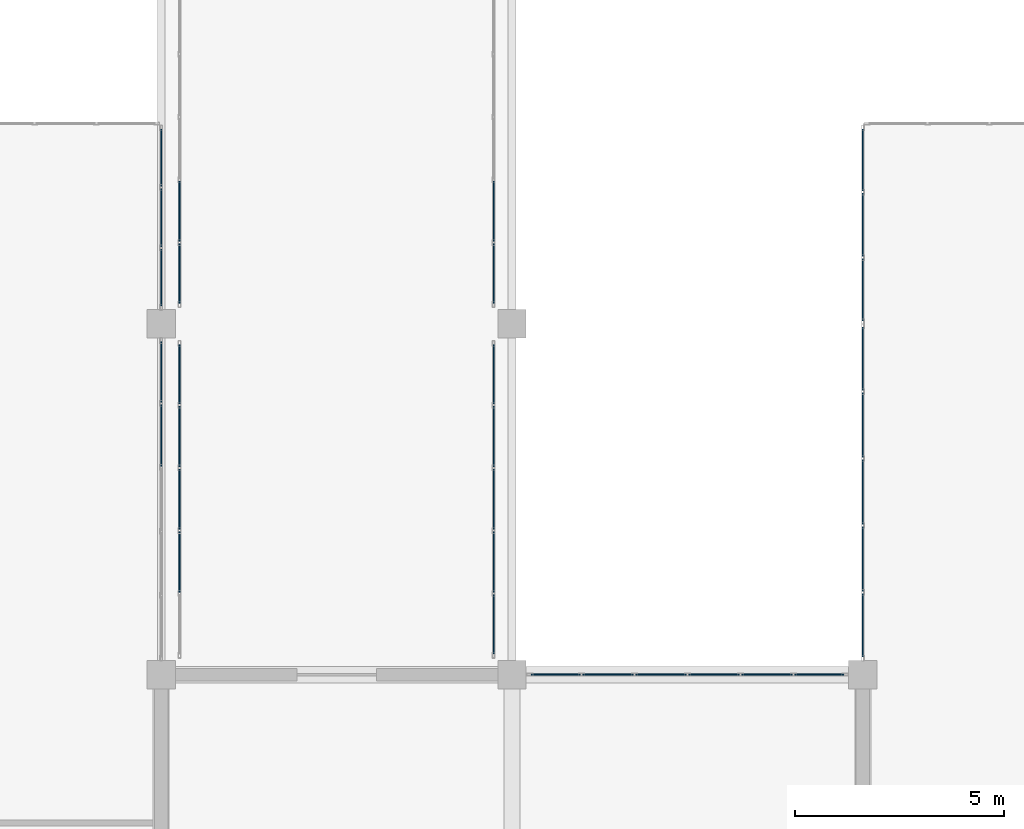
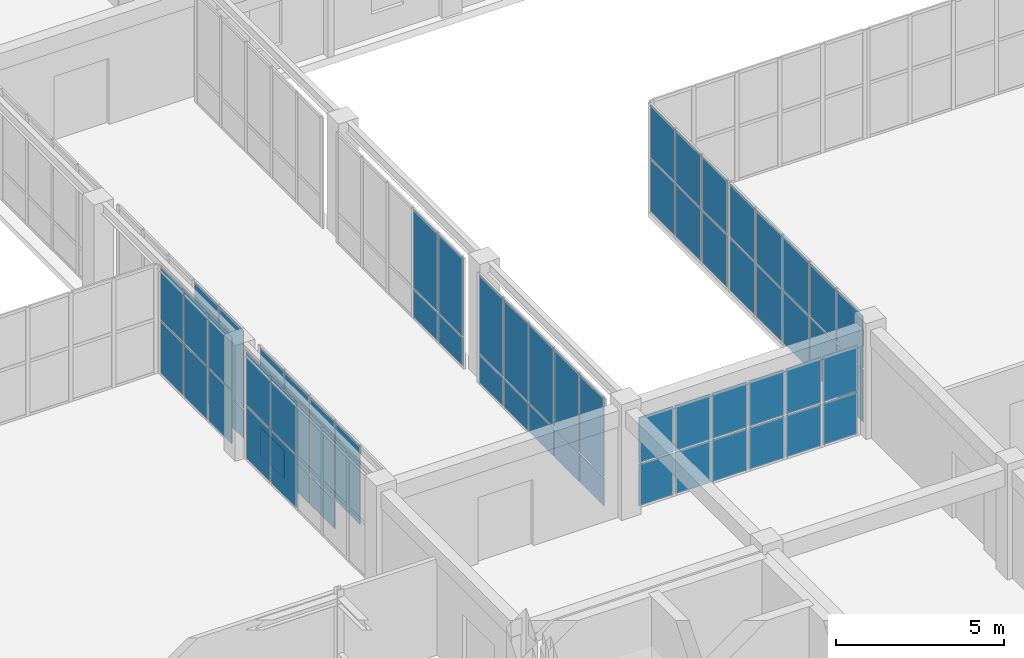
# One storey, part 102 of 140: 63 plates, 9 elements without a shape of their own.
"""IFC4 building model written with IfcOpenShell, lengths in metres."""

from ifc_helpers import new_model, si_unit, direction, frame, origin, origin_2d, place, context, subcontext, project, spatial, rectangle, extrude, material, layer, layer_set, type_object, element, aggregate, save


model = new_model("IFC4")

# Units and contexts
model_context = context("Model", 3, precision=1e-05, world=origin(), true_north=direction((0.0, 1.0)))
body_context = subcontext(model_context, "Body", "Model", "MODEL_VIEW")
ifc_project = project(units=[si_unit("LENGTHUNIT", "METRE"), si_unit("AREAUNIT", "SQUARE_METRE"), si_unit("VOLUMEUNIT", "CUBIC_METRE"), si_unit("PLANEANGLEUNIT", "RADIAN"), si_unit("MASSUNIT", "GRAM", prefix="KILO")], contexts=[model_context])

# Site, building, storey
site_placement = place(None, origin())
site = spatial("IfcSite", under=ifc_project, at=site_placement, CompositionType="ELEMENT")
building_placement = place(site_placement, origin())
building = spatial("IfcBuilding", under=site, at=building_placement, Name="Trelvath General Hospital", CompositionType="ELEMENT")
storey_placement = place(building_placement, frame((0.0, 0.0, 16.199951171875)))
storey = spatial("IfcBuildingStorey", under=building, at=storey_placement, Name="L04", CompositionType="ELEMENT", Elevation=16.199951171875)

# Curtain wall, plates
ifc_material_1 = material(Name="Anodised aluminium and low-E glass", Category="aluminium")
ifc_layer_1 = layer(ifc_material_1, 0.139892578125)
ifc_layer_set_1 = layer_set([ifc_layer_1], Name="Anodised aluminium and low-E glass")
curtain_wall_type_1 = type_object("IfcCurtainWallType", Name="CW CrystalCube 766 396 14", PredefinedType="USERDEFINED", material=ifc_layer_set_1)
curtain_wall_1_placement = place(storey_placement, origin())
curtain_wall_1 = element("IfcCurtainWall", 1, at=curtain_wall_1_placement, inside=storey, type_object=curtain_wall_type_1, Name="Crystal Cube Curtain Wall CUBE-W-T1 E4 L04", ObjectType="Unitised Glazed Curtain Wall", PredefinedType="USERDEFINED")
ifc_material_2 = material(Name="Low-E laminated glass", Category="glass")
ifc_layer_2 = layer(ifc_material_2, 0.028076171875)
ifc_layer_set_2 = layer_set([ifc_layer_2], Name="Low-E laminated glass")
plate_type_1 = type_object("IfcPlateType", Name="CurtainPanel Glass28", PredefinedType="CURTAIN_PANEL", material=ifc_layer_set_2)
plate_1_placement = place(storey_placement, frame((75.60009765625, 74.448974609375, 0.06005859375), z_axis=(0.0, 0.0, 1.0), x_axis=(0.0, -1.0, 0.0)))
plate_1 = element("IfcPlate", 2, at=plate_1_placement, type_object=plate_type_1, Name="CW-279 panel 1.1", PredefinedType="CURTAIN_PANEL", context=body_context, shape_type="SweptSolid", body=[
    extrude(rectangle(XDim=1.44189453125, YDim=0.028076171875, at=origin_2d()), origin(), (0.0, 0.0, 1.0), 1.889892578125),
])
plate_2_placement = place(storey_placement, frame((75.60009765625, 74.448974609375, 2.01025390625), z_axis=(0.0, 0.0, 1.0), x_axis=(0.0, -1.0, 0.0)))
plate_2 = element("IfcPlate", 3, at=plate_2_placement, type_object=plate_type_1, Name="CW-279 panel 1.2", PredefinedType="CURTAIN_PANEL", context=body_context, shape_type="SweptSolid", body=[
    extrude(rectangle(XDim=1.44189453125, YDim=0.028076171875, at=origin_2d()), origin(), (0.0, 0.0, 1.0), 1.889892578125),
])
plate_3_placement = place(storey_placement, frame((75.60009765625, 72.931884765625, 0.06005859375), z_axis=(0.0, 0.0, 1.0), x_axis=(0.0, -1.0, 0.0)))
plate_3 = element("IfcPlate", 4, at=plate_3_placement, type_object=plate_type_1, Name="CW-279 panel 2.1", PredefinedType="CURTAIN_PANEL", context=body_context, shape_type="SweptSolid", body=[
    extrude(rectangle(XDim=1.471923828125, YDim=0.028076171875, at=origin_2d()), origin(), (0.0, 0.0, 1.0), 1.889892578125),
])
plate_4_placement = place(storey_placement, frame((75.60009765625, 72.931884765625, 2.01025390625), z_axis=(0.0, 0.0, 1.0), x_axis=(0.0, -1.0, 0.0)))
plate_4 = element("IfcPlate", 5, at=plate_4_placement, type_object=plate_type_1, Name="CW-279 panel 2.2", PredefinedType="CURTAIN_PANEL", context=body_context, shape_type="SweptSolid", body=[
    extrude(rectangle(XDim=1.471923828125, YDim=0.028076171875, at=origin_2d()), origin(), (0.0, 0.0, 1.0), 1.889892578125),
])
aggregate(curtain_wall_1, [plate_1, plate_2, plate_3, plate_4])

ifc_material_3 = material(Name="Anodised aluminium and low-E glass", Category="aluminium")
ifc_layer_3 = layer(ifc_material_3, 0.139892578125)
ifc_layer_set_3 = layer_set([ifc_layer_3], Name="Anodised aluminium and low-E glass")
curtain_wall_type_2 = type_object("IfcCurtainWallType", Name="CW CrystalCube 435 396 14", PredefinedType="USERDEFINED", material=ifc_layer_set_3)
curtain_wall_2_placement = place(storey_placement, origin())
curtain_wall_2 = element("IfcCurtainWall", 6, at=curtain_wall_2_placement, inside=storey, type_object=curtain_wall_type_2, Name="Crystal Cube Curtain Wall CUBE-W-T1 E5 L04", ObjectType="Unitised Glazed Curtain Wall", PredefinedType="USERDEFINED")
plate_5_placement = place(storey_placement, frame((75.60009765625, 79.580078125, 0.06005859375), z_axis=(0.0, 0.0, 1.0), x_axis=(0.0, -1.0, 0.0)))
plate_5 = element("IfcPlate", 7, at=plate_5_placement, type_object=plate_type_1, Name="CW-281 panel 1.1", PredefinedType="CURTAIN_PANEL", context=body_context, shape_type="SweptSolid", body=[
    extrude(rectangle(XDim=1.360107421875, YDim=0.028076171875, at=origin_2d()), origin(), (0.0, 0.0, 1.0), 1.889892578125),
])
plate_6_placement = place(storey_placement, frame((75.60009765625, 79.580078125, 2.01025390625), z_axis=(0.0, 0.0, 1.0), x_axis=(0.0, -1.0, 0.0)))
plate_6 = element("IfcPlate", 8, at=plate_6_placement, type_object=plate_type_1, Name="CW-281 panel 1.2", PredefinedType="CURTAIN_PANEL", context=body_context, shape_type="SweptSolid", body=[
    extrude(rectangle(XDim=1.360107421875, YDim=0.028076171875, at=origin_2d()), origin(), (0.0, 0.0, 1.0), 1.889892578125),
])
plate_7_placement = place(storey_placement, frame((75.60009765625, 78.14501953125, 0.06005859375), z_axis=(0.0, 0.0, 1.0), x_axis=(0.0, -1.0, 0.0)))
plate_7 = element("IfcPlate", 9, at=plate_7_placement, type_object=plate_type_1, Name="CW-281 panel 2.1", PredefinedType="CURTAIN_PANEL", context=body_context, shape_type="SweptSolid", body=[
    extrude(rectangle(XDim=1.389892578125, YDim=0.028076171875, at=origin_2d()), origin(), (0.0, 0.0, 1.0), 1.889892578125),
])
plate_8_placement = place(storey_placement, frame((75.60009765625, 78.14501953125, 2.01025390625), z_axis=(0.0, 0.0, 1.0), x_axis=(0.0, -1.0, 0.0)))
plate_8 = element("IfcPlate", 10, at=plate_8_placement, type_object=plate_type_1, Name="CW-281 panel 2.2", PredefinedType="CURTAIN_PANEL", context=body_context, shape_type="SweptSolid", body=[
    extrude(rectangle(XDim=1.389892578125, YDim=0.028076171875, at=origin_2d()), origin(), (0.0, 0.0, 1.0), 1.889892578125),
])
plate_9_placement = place(storey_placement, frame((75.60009765625, 76.7099609375, 0.06005859375), z_axis=(0.0, 0.0, 1.0), x_axis=(0.0, -1.0, 0.0)))
plate_9 = element("IfcPlate", 11, at=plate_9_placement, type_object=plate_type_1, Name="CW-281 panel 3.1", PredefinedType="CURTAIN_PANEL", context=body_context, shape_type="SweptSolid", body=[
    extrude(rectangle(XDim=1.360107421875, YDim=0.028076171875, at=origin_2d()), origin(), (0.0, 0.0, 1.0), 1.889892578125),
])
plate_10_placement = place(storey_placement, frame((75.60009765625, 76.7099609375, 2.01025390625), z_axis=(0.0, 0.0, 1.0), x_axis=(0.0, -1.0, 0.0)))
plate_10 = element("IfcPlate", 12, at=plate_10_placement, type_object=plate_type_1, Name="CW-281 panel 3.2", PredefinedType="CURTAIN_PANEL", context=body_context, shape_type="SweptSolid", body=[
    extrude(rectangle(XDim=1.360107421875, YDim=0.028076171875, at=origin_2d()), origin(), (0.0, 0.0, 1.0), 1.889892578125),
])
aggregate(curtain_wall_2, [plate_5, plate_6, plate_7, plate_8, plate_9, plate_10])

ifc_material_4 = material(Name="Anodised aluminium and low-E glass", Category="aluminium")
ifc_layer_4 = layer(ifc_material_4, 0.139892578125)
ifc_layer_set_4 = layer_set([ifc_layer_4], Name="Anodised aluminium and low-E glass")
curtain_wall_type_3 = type_object("IfcCurtainWallType", Name="CW CrystalCube 801 396 14", PredefinedType="USERDEFINED", material=ifc_layer_set_4)
curtain_wall_3_placement = place(storey_placement, origin())
curtain_wall_3 = element("IfcCurtainWall", 13, at=curtain_wall_3_placement, inside=storey, type_object=curtain_wall_type_3, Name="Crystal Cube Curtain Wall CUBE-E-T1 W4 L04", ObjectType="Unitised Glazed Curtain Wall", PredefinedType="USERDEFINED")
plate_11_placement = place(storey_placement, frame((92.39990234375, 68.385986328125, 0.06005859375), z_axis=(0.0, 0.0, 1.0), x_axis=(0.0, 1.0, 0.0)))
plate_11 = element("IfcPlate", 14, at=plate_11_placement, type_object=plate_type_1, Name="CW-293 panel 1.1", PredefinedType="CURTAIN_PANEL", context=body_context, shape_type="SweptSolid", body=[
    extrude(rectangle(XDim=1.511962890625, YDim=0.028076171875, at=origin_2d()), origin(), (0.0, 0.0, 1.0), 1.889892578125),
])
plate_12_placement = place(storey_placement, frame((92.39990234375, 68.385986328125, 2.01025390625), z_axis=(0.0, 0.0, 1.0), x_axis=(0.0, 1.0, 0.0)))
plate_12 = element("IfcPlate", 15, at=plate_12_placement, type_object=plate_type_1, Name="CW-293 panel 1.2", PredefinedType="CURTAIN_PANEL", context=body_context, shape_type="SweptSolid", body=[
    extrude(rectangle(XDim=1.511962890625, YDim=0.028076171875, at=origin_2d()), origin(), (0.0, 0.0, 1.0), 1.889892578125),
])
plate_13_placement = place(storey_placement, frame((92.39990234375, 69.972900390625, 0.06005859375), z_axis=(0.0, 0.0, 1.0), x_axis=(0.0, 1.0, 0.0)))
plate_13 = element("IfcPlate", 16, at=plate_13_placement, type_object=plate_type_1, Name="CW-293 panel 2.1", PredefinedType="CURTAIN_PANEL", context=body_context, shape_type="SweptSolid", body=[
    extrude(rectangle(XDim=1.5419921875, YDim=0.028076171875, at=origin_2d()), origin(), (0.0, 0.0, 1.0), 1.889892578125),
])
plate_14_placement = place(storey_placement, frame((92.39990234375, 69.972900390625, 2.01025390625), z_axis=(0.0, 0.0, 1.0), x_axis=(0.0, 1.0, 0.0)))
plate_14 = element("IfcPlate", 17, at=plate_14_placement, type_object=plate_type_1, Name="CW-293 panel 2.2", PredefinedType="CURTAIN_PANEL", context=body_context, shape_type="SweptSolid", body=[
    extrude(rectangle(XDim=1.5419921875, YDim=0.028076171875, at=origin_2d()), origin(), (0.0, 0.0, 1.0), 1.889892578125),
])
plate_15_placement = place(storey_placement, frame((92.39990234375, 71.574951171875, 0.06005859375), z_axis=(0.0, 0.0, 1.0), x_axis=(0.0, 1.0, 0.0)))
plate_15 = element("IfcPlate", 18, at=plate_15_placement, type_object=plate_type_1, Name="CW-293 panel 3.1", PredefinedType="CURTAIN_PANEL", context=body_context, shape_type="SweptSolid", body=[
    extrude(rectangle(XDim=1.5419921875, YDim=0.028076171875, at=origin_2d()), origin(), (0.0, 0.0, 1.0), 1.889892578125),
])
plate_16_placement = place(storey_placement, frame((92.39990234375, 71.574951171875, 2.01025390625), z_axis=(0.0, 0.0, 1.0), x_axis=(0.0, 1.0, 0.0)))
plate_16 = element("IfcPlate", 19, at=plate_16_placement, type_object=plate_type_1, Name="CW-293 panel 3.2", PredefinedType="CURTAIN_PANEL", context=body_context, shape_type="SweptSolid", body=[
    extrude(rectangle(XDim=1.5419921875, YDim=0.028076171875, at=origin_2d()), origin(), (0.0, 0.0, 1.0), 1.889892578125),
])
plate_17_placement = place(storey_placement, frame((92.39990234375, 73.177001953125, 0.06005859375), z_axis=(0.0, 0.0, 1.0), x_axis=(0.0, 1.0, 0.0)))
plate_17 = element("IfcPlate", 20, at=plate_17_placement, type_object=plate_type_1, Name="CW-293 panel 4.1", PredefinedType="CURTAIN_PANEL", context=body_context, shape_type="SweptSolid", body=[
    extrude(rectangle(XDim=1.5419921875, YDim=0.028076171875, at=origin_2d()), origin(), (0.0, 0.0, 1.0), 1.889892578125),
])
plate_18_placement = place(storey_placement, frame((92.39990234375, 73.177001953125, 2.01025390625), z_axis=(0.0, 0.0, 1.0), x_axis=(0.0, 1.0, 0.0)))
plate_18 = element("IfcPlate", 21, at=plate_18_placement, type_object=plate_type_1, Name="CW-293 panel 4.2", PredefinedType="CURTAIN_PANEL", context=body_context, shape_type="SweptSolid", body=[
    extrude(rectangle(XDim=1.5419921875, YDim=0.028076171875, at=origin_2d()), origin(), (0.0, 0.0, 1.0), 1.889892578125),
])
plate_19_placement = place(storey_placement, frame((92.39990234375, 74.763916015625, 0.06005859375), z_axis=(0.0, 0.0, 1.0), x_axis=(0.0, 1.0, 0.0)))
plate_19 = element("IfcPlate", 22, at=plate_19_placement, type_object=plate_type_1, Name="CW-293 panel 5.1", PredefinedType="CURTAIN_PANEL", context=body_context, shape_type="SweptSolid", body=[
    extrude(rectangle(XDim=1.511962890625, YDim=0.028076171875, at=origin_2d()), origin(), (0.0, 0.0, 1.0), 1.889892578125),
])
plate_20_placement = place(storey_placement, frame((92.39990234375, 74.763916015625, 2.01025390625), z_axis=(0.0, 0.0, 1.0), x_axis=(0.0, 1.0, 0.0)))
plate_20 = element("IfcPlate", 23, at=plate_20_placement, type_object=plate_type_1, Name="CW-293 panel 5.2", PredefinedType="CURTAIN_PANEL", context=body_context, shape_type="SweptSolid", body=[
    extrude(rectangle(XDim=1.511962890625, YDim=0.028076171875, at=origin_2d()), origin(), (0.0, 0.0, 1.0), 1.889892578125),
])
aggregate(curtain_wall_3, [plate_11, plate_12, plate_13, plate_14, plate_15, plate_16, plate_17, plate_18, plate_19, plate_20])

ifc_material_5 = material(Name="Anodised aluminium and low-E glass", Category="aluminium")
ifc_layer_5 = layer(ifc_material_5, 0.139892578125)
ifc_layer_set_5 = layer_set([ifc_layer_5], Name="Anodised aluminium and low-E glass")
curtain_wall_type_4 = type_object("IfcCurtainWallType", Name="CW CrystalCube 470 396 14", PredefinedType="USERDEFINED", material=ifc_layer_set_5)
curtain_wall_4_placement = place(storey_placement, origin())
curtain_wall_4 = element("IfcCurtainWall", 24, at=curtain_wall_4_placement, inside=storey, type_object=curtain_wall_type_4, Name="Crystal Cube Curtain Wall CUBE-E-T1 W5 L04", ObjectType="Unitised Glazed Curtain Wall", PredefinedType="USERDEFINED")
plate_21_placement = place(storey_placement, frame((92.39990234375, 76.418212890625, 0.06005859375), z_axis=(0.0, 0.0, 1.0), x_axis=(0.0, 1.0, 0.0)))
plate_21 = element("IfcPlate", 25, at=plate_21_placement, type_object=plate_type_1, Name="CW-295 panel 1.1", PredefinedType="CURTAIN_PANEL", context=body_context, shape_type="SweptSolid", body=[
    extrude(rectangle(XDim=1.4765625, YDim=0.028076171875, at=origin_2d()), origin(), (0.0, 0.0, 1.0), 1.889892578125),
])
plate_22_placement = place(storey_placement, frame((92.39990234375, 76.418212890625, 2.01025390625), z_axis=(0.0, 0.0, 1.0), x_axis=(0.0, 1.0, 0.0)))
plate_22 = element("IfcPlate", 26, at=plate_22_placement, type_object=plate_type_1, Name="CW-295 panel 1.2", PredefinedType="CURTAIN_PANEL", context=body_context, shape_type="SweptSolid", body=[
    extrude(rectangle(XDim=1.4765625, YDim=0.028076171875, at=origin_2d()), origin(), (0.0, 0.0, 1.0), 1.889892578125),
])
plate_23_placement = place(storey_placement, frame((92.39990234375, 77.969970703125, 0.06005859375), z_axis=(0.0, 0.0, 1.0), x_axis=(0.0, 1.0, 0.0)))
plate_23 = element("IfcPlate", 27, at=plate_23_placement, type_object=plate_type_1, Name="CW-295 panel 2.1", PredefinedType="CURTAIN_PANEL", context=body_context, shape_type="SweptSolid", body=[
    extrude(rectangle(XDim=1.506591796875, YDim=0.028076171875, at=origin_2d()), origin(), (0.0, 0.0, 1.0), 1.889892578125),
])
plate_24_placement = place(storey_placement, frame((92.39990234375, 77.969970703125, 2.01025390625), z_axis=(0.0, 0.0, 1.0), x_axis=(0.0, 1.0, 0.0)))
plate_24 = element("IfcPlate", 28, at=plate_24_placement, type_object=plate_type_1, Name="CW-295 panel 2.2", PredefinedType="CURTAIN_PANEL", context=body_context, shape_type="SweptSolid", body=[
    extrude(rectangle(XDim=1.506591796875, YDim=0.028076171875, at=origin_2d()), origin(), (0.0, 0.0, 1.0), 1.889892578125),
])
plate_25_placement = place(storey_placement, frame((92.39990234375, 79.521728515625, 0.06005859375), z_axis=(0.0, 0.0, 1.0), x_axis=(0.0, 1.0, 0.0)))
plate_25 = element("IfcPlate", 29, at=plate_25_placement, type_object=plate_type_1, Name="CW-295 panel 3.1", PredefinedType="CURTAIN_PANEL", context=body_context, shape_type="SweptSolid", body=[
    extrude(rectangle(XDim=1.4765625, YDim=0.028076171875, at=origin_2d()), origin(), (0.0, 0.0, 1.0), 1.889892578125),
])
plate_26_placement = place(storey_placement, frame((92.39990234375, 79.521728515625, 2.01025390625), z_axis=(0.0, 0.0, 1.0), x_axis=(0.0, 1.0, 0.0)))
plate_26 = element("IfcPlate", 30, at=plate_26_placement, type_object=plate_type_1, Name="CW-295 panel 3.2", PredefinedType="CURTAIN_PANEL", context=body_context, shape_type="SweptSolid", body=[
    extrude(rectangle(XDim=1.4765625, YDim=0.028076171875, at=origin_2d()), origin(), (0.0, 0.0, 1.0), 1.889892578125),
])
aggregate(curtain_wall_4, [plate_21, plate_22, plate_23, plate_24, plate_25, plate_26])

ifc_material_6 = material(Name="Anodised aluminium and low-E glass", Category="aluminium")
ifc_layer_6 = layer(ifc_material_6, 0.139892578125)
ifc_layer_set_6 = layer_set([ifc_layer_6], Name="Anodised aluminium and low-E glass")
curtain_wall_type_5 = type_object("IfcCurtainWallType", Name="CW Bridge 752 401", PredefinedType="USERDEFINED", material=ifc_layer_set_6)
curtain_wall_5_placement = place(storey_placement, origin())
curtain_wall_5 = element("IfcCurtainWall", 31, at=curtain_wall_5_placement, inside=storey, type_object=curtain_wall_type_5, Name="Glazed Bridge Curtain Wall BRG-N-C W L04", ObjectType="Unitised Glazed Curtain Wall", PredefinedType="USERDEFINED")
plate_27_placement = place(storey_placement, frame((76.0400390625, 69.89599609375, 1.1298828125), z_axis=(0.0, 0.0, 1.0), x_axis=(0.0, 1.0, 0.0)))
plate_27 = element("IfcPlate", 32, at=plate_27_placement, type_object=plate_type_1, Name="CW-296 panel 2.2", PredefinedType="CURTAIN_PANEL", context=body_context, shape_type="SweptSolid", body=[
    extrude(rectangle(XDim=1.444091796875, YDim=0.028076171875, at=origin_2d()), origin(), (0.0, 0.0, 1.0), 2.820068359375),
])
plate_28_placement = place(storey_placement, frame((76.0400390625, 71.39990234375, 0.06005859375), z_axis=(0.0, 0.0, 1.0), x_axis=(0.0, 1.0, 0.0)))
plate_28 = element("IfcPlate", 33, at=plate_28_placement, type_object=plate_type_1, Name="CW-296 panel 3.1", PredefinedType="CURTAIN_PANEL", context=body_context, shape_type="SweptSolid", body=[
    extrude(rectangle(XDim=1.444091796875, YDim=0.028076171875, at=origin_2d()), origin(), (0.0, 0.0, 1.0), 1.010009765625),
])
plate_29_placement = place(storey_placement, frame((76.0400390625, 71.39990234375, 1.1298828125), z_axis=(0.0, 0.0, 1.0), x_axis=(0.0, 1.0, 0.0)))
plate_29 = element("IfcPlate", 34, at=plate_29_placement, type_object=plate_type_1, Name="CW-296 panel 3.2", PredefinedType="CURTAIN_PANEL", context=body_context, shape_type="SweptSolid", body=[
    extrude(rectangle(XDim=1.444091796875, YDim=0.028076171875, at=origin_2d()), origin(), (0.0, 0.0, 1.0), 2.820068359375),
])
plate_30_placement = place(storey_placement, frame((76.0400390625, 72.904052734375, 0.06005859375), z_axis=(0.0, 0.0, 1.0), x_axis=(0.0, 1.0, 0.0)))
plate_30 = element("IfcPlate", 35, at=plate_30_placement, type_object=plate_type_1, Name="CW-296 panel 4.1", PredefinedType="CURTAIN_PANEL", context=body_context, shape_type="SweptSolid", body=[
    extrude(rectangle(XDim=1.444091796875, YDim=0.028076171875, at=origin_2d()), origin(), (0.0, 0.0, 1.0), 1.010009765625),
])
plate_31_placement = place(storey_placement, frame((76.0400390625, 72.904052734375, 1.1298828125), z_axis=(0.0, 0.0, 1.0), x_axis=(0.0, 1.0, 0.0)))
plate_31 = element("IfcPlate", 36, at=plate_31_placement, type_object=plate_type_1, Name="CW-296 panel 4.2", PredefinedType="CURTAIN_PANEL", context=body_context, shape_type="SweptSolid", body=[
    extrude(rectangle(XDim=1.444091796875, YDim=0.028076171875, at=origin_2d()), origin(), (0.0, 0.0, 1.0), 2.820068359375),
])
plate_32_placement = place(storey_placement, frame((76.0400390625, 74.39306640625, 0.06005859375), z_axis=(0.0, 0.0, 1.0), x_axis=(0.0, 1.0, 0.0)))
plate_32 = element("IfcPlate", 37, at=plate_32_placement, type_object=plate_type_1, Name="CW-296 panel 5.1", PredefinedType="CURTAIN_PANEL", context=body_context, shape_type="SweptSolid", body=[
    extrude(rectangle(XDim=1.4140625, YDim=0.028076171875, at=origin_2d()), origin(), (0.0, 0.0, 1.0), 1.010009765625),
])
plate_33_placement = place(storey_placement, frame((76.0400390625, 74.39306640625, 1.1298828125), z_axis=(0.0, 0.0, 1.0), x_axis=(0.0, 1.0, 0.0)))
plate_33 = element("IfcPlate", 38, at=plate_33_placement, type_object=plate_type_1, Name="CW-296 panel 5.2", PredefinedType="CURTAIN_PANEL", context=body_context, shape_type="SweptSolid", body=[
    extrude(rectangle(XDim=1.4140625, YDim=0.028076171875, at=origin_2d()), origin(), (0.0, 0.0, 1.0), 2.820068359375),
])
aggregate(curtain_wall_5, [plate_27, plate_28, plate_29, plate_30, plate_31, plate_32, plate_33])

curtain_wall_6_placement = place(storey_placement, origin())
curtain_wall_6 = element("IfcCurtainWall", 39, at=curtain_wall_6_placement, inside=storey, type_object=curtain_wall_type_5, Name="Glazed Bridge Curtain Wall BRG-N-C E L04", ObjectType="Unitised Glazed Curtain Wall", PredefinedType="USERDEFINED")
plate_34_placement = place(storey_placement, frame((83.56005859375, 74.39306640625, 0.06005859375), z_axis=(0.0, 0.0, 1.0), x_axis=(0.0, -1.0, 0.0)))
plate_34 = element("IfcPlate", 40, at=plate_34_placement, type_object=plate_type_1, Name="CW-297 panel 1.1", PredefinedType="CURTAIN_PANEL", context=body_context, shape_type="SweptSolid", body=[
    extrude(rectangle(XDim=1.4140625, YDim=0.028076171875, at=origin_2d()), origin(), (0.0, 0.0, 1.0), 1.010009765625),
])
plate_35_placement = place(storey_placement, frame((83.56005859375, 74.39306640625, 1.1298828125), z_axis=(0.0, 0.0, 1.0), x_axis=(0.0, -1.0, 0.0)))
plate_35 = element("IfcPlate", 41, at=plate_35_placement, type_object=plate_type_1, Name="CW-297 panel 1.2", PredefinedType="CURTAIN_PANEL", context=body_context, shape_type="SweptSolid", body=[
    extrude(rectangle(XDim=1.4140625, YDim=0.028076171875, at=origin_2d()), origin(), (0.0, 0.0, 1.0), 2.820068359375),
])
plate_36_placement = place(storey_placement, frame((83.56005859375, 72.904052734375, 0.06005859375), z_axis=(0.0, 0.0, 1.0), x_axis=(0.0, -1.0, 0.0)))
plate_36 = element("IfcPlate", 42, at=plate_36_placement, type_object=plate_type_1, Name="CW-297 panel 2.1", PredefinedType="CURTAIN_PANEL", context=body_context, shape_type="SweptSolid", body=[
    extrude(rectangle(XDim=1.444091796875, YDim=0.028076171875, at=origin_2d()), origin(), (0.0, 0.0, 1.0), 1.010009765625),
])
plate_37_placement = place(storey_placement, frame((83.56005859375, 72.904052734375, 1.1298828125), z_axis=(0.0, 0.0, 1.0), x_axis=(0.0, -1.0, 0.0)))
plate_37 = element("IfcPlate", 43, at=plate_37_placement, type_object=plate_type_1, Name="CW-297 panel 2.2", PredefinedType="CURTAIN_PANEL", context=body_context, shape_type="SweptSolid", body=[
    extrude(rectangle(XDim=1.444091796875, YDim=0.028076171875, at=origin_2d()), origin(), (0.0, 0.0, 1.0), 2.820068359375),
])
plate_38_placement = place(storey_placement, frame((83.56005859375, 71.39990234375, 0.06005859375), z_axis=(0.0, 0.0, 1.0), x_axis=(0.0, -1.0, 0.0)))
plate_38 = element("IfcPlate", 44, at=plate_38_placement, type_object=plate_type_1, Name="CW-297 panel 3.1", PredefinedType="CURTAIN_PANEL", context=body_context, shape_type="SweptSolid", body=[
    extrude(rectangle(XDim=1.444091796875, YDim=0.028076171875, at=origin_2d()), origin(), (0.0, 0.0, 1.0), 1.010009765625),
])
plate_39_placement = place(storey_placement, frame((83.56005859375, 71.39990234375, 1.1298828125), z_axis=(0.0, 0.0, 1.0), x_axis=(0.0, -1.0, 0.0)))
plate_39 = element("IfcPlate", 45, at=plate_39_placement, type_object=plate_type_1, Name="CW-297 panel 3.2", PredefinedType="CURTAIN_PANEL", context=body_context, shape_type="SweptSolid", body=[
    extrude(rectangle(XDim=1.444091796875, YDim=0.028076171875, at=origin_2d()), origin(), (0.0, 0.0, 1.0), 2.820068359375),
])
plate_40_placement = place(storey_placement, frame((83.56005859375, 69.89599609375, 0.06005859375), z_axis=(0.0, 0.0, 1.0), x_axis=(0.0, -1.0, 0.0)))
plate_40 = element("IfcPlate", 46, at=plate_40_placement, type_object=plate_type_1, Name="CW-297 panel 4.1", PredefinedType="CURTAIN_PANEL", context=body_context, shape_type="SweptSolid", body=[
    extrude(rectangle(XDim=1.444091796875, YDim=0.028076171875, at=origin_2d()), origin(), (0.0, 0.0, 1.0), 1.010009765625),
])
plate_41_placement = place(storey_placement, frame((83.56005859375, 69.89599609375, 1.1298828125), z_axis=(0.0, 0.0, 1.0), x_axis=(0.0, -1.0, 0.0)))
plate_41 = element("IfcPlate", 47, at=plate_41_placement, type_object=plate_type_1, Name="CW-297 panel 4.2", PredefinedType="CURTAIN_PANEL", context=body_context, shape_type="SweptSolid", body=[
    extrude(rectangle(XDim=1.444091796875, YDim=0.028076171875, at=origin_2d()), origin(), (0.0, 0.0, 1.0), 2.820068359375),
])
plate_42_placement = place(storey_placement, frame((83.56005859375, 68.406982421875, 0.06005859375), z_axis=(0.0, 0.0, 1.0), x_axis=(0.0, -1.0, 0.0)))
plate_42 = element("IfcPlate", 48, at=plate_42_placement, type_object=plate_type_1, Name="CW-297 panel 5.1", PredefinedType="CURTAIN_PANEL", context=body_context, shape_type="SweptSolid", body=[
    extrude(rectangle(XDim=1.4140625, YDim=0.028076171875, at=origin_2d()), origin(), (0.0, 0.0, 1.0), 1.010009765625),
])
plate_43_placement = place(storey_placement, frame((83.56005859375, 68.406982421875, 1.1298828125), z_axis=(0.0, 0.0, 1.0), x_axis=(0.0, -1.0, 0.0)))
plate_43 = element("IfcPlate", 49, at=plate_43_placement, type_object=plate_type_1, Name="CW-297 panel 5.2", PredefinedType="CURTAIN_PANEL", context=body_context, shape_type="SweptSolid", body=[
    extrude(rectangle(XDim=1.4140625, YDim=0.028076171875, at=origin_2d()), origin(), (0.0, 0.0, 1.0), 2.820068359375),
])
aggregate(curtain_wall_6, [plate_34, plate_35, plate_36, plate_37, plate_38, plate_39, plate_40, plate_41, plate_42, plate_43])

curtain_wall_7_placement = place(storey_placement, origin())
curtain_wall_7 = element("IfcCurtainWall", 50, at=curtain_wall_7_placement, inside=storey, type_object=curtain_wall_type_5, Name="Glazed Bridge Curtain Wall BRG-N-C W L04", ObjectType="Unitised Glazed Curtain Wall", PredefinedType="USERDEFINED")
plate_44_placement = place(storey_placement, frame((76.0400390625, 76.806884765625, 0.06005859375), z_axis=(0.0, 0.0, 1.0), x_axis=(0.0, 1.0, 0.0)))
plate_44 = element("IfcPlate", 51, at=plate_44_placement, type_object=plate_type_1, Name="CW-298 panel 1.1", PredefinedType="CURTAIN_PANEL", context=body_context, shape_type="SweptSolid", body=[
    extrude(rectangle(XDim=1.4140625, YDim=0.028076171875, at=origin_2d()), origin(), (0.0, 0.0, 1.0), 1.010009765625),
])
plate_45_placement = place(storey_placement, frame((76.0400390625, 76.806884765625, 1.1298828125), z_axis=(0.0, 0.0, 1.0), x_axis=(0.0, 1.0, 0.0)))
plate_45 = element("IfcPlate", 52, at=plate_45_placement, type_object=plate_type_1, Name="CW-298 panel 1.2", PredefinedType="CURTAIN_PANEL", context=body_context, shape_type="SweptSolid", body=[
    extrude(rectangle(XDim=1.4140625, YDim=0.028076171875, at=origin_2d()), origin(), (0.0, 0.0, 1.0), 2.820068359375),
])
plate_46_placement = place(storey_placement, frame((76.0400390625, 78.2958984375, 0.06005859375), z_axis=(0.0, 0.0, 1.0), x_axis=(0.0, 1.0, 0.0)))
plate_46 = element("IfcPlate", 53, at=plate_46_placement, type_object=plate_type_1, Name="CW-298 panel 2.1", PredefinedType="CURTAIN_PANEL", context=body_context, shape_type="SweptSolid", body=[
    extrude(rectangle(XDim=1.444091796875, YDim=0.028076171875, at=origin_2d()), origin(), (0.0, 0.0, 1.0), 1.010009765625),
])
plate_47_placement = place(storey_placement, frame((76.0400390625, 78.2958984375, 1.1298828125), z_axis=(0.0, 0.0, 1.0), x_axis=(0.0, 1.0, 0.0)))
plate_47 = element("IfcPlate", 54, at=plate_47_placement, type_object=plate_type_1, Name="CW-298 panel 2.2", PredefinedType="CURTAIN_PANEL", context=body_context, shape_type="SweptSolid", body=[
    extrude(rectangle(XDim=1.444091796875, YDim=0.028076171875, at=origin_2d()), origin(), (0.0, 0.0, 1.0), 2.820068359375),
])
aggregate(curtain_wall_7, [plate_44, plate_45, plate_46, plate_47])

curtain_wall_8_placement = place(storey_placement, origin())
curtain_wall_8 = element("IfcCurtainWall", 55, at=curtain_wall_8_placement, inside=storey, type_object=curtain_wall_type_5, Name="Glazed Bridge Curtain Wall BRG-N-C E L04", ObjectType="Unitised Glazed Curtain Wall", PredefinedType="USERDEFINED")
plate_48_placement = place(storey_placement, frame((83.56005859375, 78.2958984375, 0.06005859375), z_axis=(0.0, 0.0, 1.0), x_axis=(0.0, -1.0, 0.0)))
plate_48 = element("IfcPlate", 56, at=plate_48_placement, type_object=plate_type_1, Name="CW-299 panel 4.1", PredefinedType="CURTAIN_PANEL", context=body_context, shape_type="SweptSolid", body=[
    extrude(rectangle(XDim=1.444091796875, YDim=0.028076171875, at=origin_2d()), origin(), (0.0, 0.0, 1.0), 1.010009765625),
])
plate_49_placement = place(storey_placement, frame((83.56005859375, 78.2958984375, 1.1298828125), z_axis=(0.0, 0.0, 1.0), x_axis=(0.0, -1.0, 0.0)))
plate_49 = element("IfcPlate", 57, at=plate_49_placement, type_object=plate_type_1, Name="CW-299 panel 4.2", PredefinedType="CURTAIN_PANEL", context=body_context, shape_type="SweptSolid", body=[
    extrude(rectangle(XDim=1.444091796875, YDim=0.028076171875, at=origin_2d()), origin(), (0.0, 0.0, 1.0), 2.820068359375),
])
plate_50_placement = place(storey_placement, frame((83.56005859375, 76.806884765625, 0.06005859375), z_axis=(0.0, 0.0, 1.0), x_axis=(0.0, -1.0, 0.0)))
plate_50 = element("IfcPlate", 58, at=plate_50_placement, type_object=plate_type_1, Name="CW-299 panel 5.1", PredefinedType="CURTAIN_PANEL", context=body_context, shape_type="SweptSolid", body=[
    extrude(rectangle(XDim=1.4140625, YDim=0.028076171875, at=origin_2d()), origin(), (0.0, 0.0, 1.0), 1.010009765625),
])
plate_51_placement = place(storey_placement, frame((83.56005859375, 76.806884765625, 1.1298828125), z_axis=(0.0, 0.0, 1.0), x_axis=(0.0, -1.0, 0.0)))
plate_51 = element("IfcPlate", 59, at=plate_51_placement, type_object=plate_type_1, Name="CW-299 panel 5.2", PredefinedType="CURTAIN_PANEL", context=body_context, shape_type="SweptSolid", body=[
    extrude(rectangle(XDim=1.4140625, YDim=0.028076171875, at=origin_2d()), origin(), (0.0, 0.0, 1.0), 2.820068359375),
])
aggregate(curtain_wall_8, [plate_48, plate_49, plate_50, plate_51])

ifc_material_7 = material(Name="Anodised aluminium and low-E glass", Category="aluminium")
ifc_layer_7 = layer(ifc_material_7, 0.14990234375)
ifc_layer_set_7 = layer_set([ifc_layer_7], Name="Anodised aluminium and low-E glass")
curtain_wall_type_6 = type_object("IfcCurtainWallType", Name="CW Facade 761 332 15", PredefinedType="USERDEFINED", material=ifc_layer_set_7)
curtain_wall_9_placement = place(storey_placement, origin())
curtain_wall_9 = element("IfcCurtainWall", 60, at=curtain_wall_9_placement, inside=storey, type_object=curtain_wall_type_6, Name="Facade Curtain Wall CW-065", ObjectType="Unitised Glazed Curtain Wall", PredefinedType="USERDEFINED")
ifc_material_8 = material(Name="Low-E laminated glass", Category="glass")
ifc_layer_8 = layer(ifc_material_8, 0.035888671875)
ifc_layer_set_8 = layer_set([ifc_layer_8], Name="Low-E laminated glass")
plate_type_2 = type_object("IfcPlateType", Name="CurtainPanel Glass36", PredefinedType="CURTAIN_PANEL", material=ifc_layer_set_8)
plate_52_placement = place(storey_placement, frame((85.044189453125, 67.199951171875, 0.06005859375), z_axis=(0.0, 0.0, 1.0), x_axis=(1.0, 0.0, 0.0)))
plate_52 = element("IfcPlate", 61, at=plate_52_placement, type_object=plate_type_2, Name="CW-065 panel 1.1", PredefinedType="CURTAIN_PANEL", context=body_context, shape_type="SweptSolid", body=[
    extrude(rectangle(XDim=1.17822265625, YDim=0.035888671875, at=origin_2d()), origin(), (0.0, 0.0, 1.0), 1.50390625),
])
plate_53_placement = place(storey_placement, frame((85.044189453125, 67.199951171875, 1.6240234375), z_axis=(0.0, 0.0, 1.0), x_axis=(1.0, 0.0, 0.0)))
plate_53 = element("IfcPlate", 62, at=plate_53_placement, type_object=plate_type_2, Name="CW-065 panel 1.2", PredefinedType="CURTAIN_PANEL", context=body_context, shape_type="SweptSolid", body=[
    extrude(rectangle(XDim=1.17822265625, YDim=0.035888671875, at=origin_2d()), origin(), (0.0, 0.0, 1.0), 1.635986328125),
])
plate_54_placement = place(storey_placement, frame((86.297607421875, 67.199951171875, 0.06005859375), z_axis=(0.0, 0.0, 1.0), x_axis=(1.0, 0.0, 0.0)))
plate_54 = element("IfcPlate", 63, at=plate_54_placement, type_object=plate_type_2, Name="CW-065 panel 2.1", PredefinedType="CURTAIN_PANEL", context=body_context, shape_type="SweptSolid", body=[
    extrude(rectangle(XDim=1.208251953125, YDim=0.035888671875, at=origin_2d()), origin(), (0.0, 0.0, 1.0), 1.50390625),
])
plate_55_placement = place(storey_placement, frame((86.297607421875, 67.199951171875, 1.6240234375), z_axis=(0.0, 0.0, 1.0), x_axis=(1.0, 0.0, 0.0)))
plate_55 = element("IfcPlate", 64, at=plate_55_placement, type_object=plate_type_2, Name="CW-065 panel 2.2", PredefinedType="CURTAIN_PANEL", context=body_context, shape_type="SweptSolid", body=[
    extrude(rectangle(XDim=1.208251953125, YDim=0.035888671875, at=origin_2d()), origin(), (0.0, 0.0, 1.0), 1.635986328125),
])
plate_56_placement = place(storey_placement, frame((87.56591796875, 67.199951171875, 0.06005859375), z_axis=(0.0, 0.0, 1.0), x_axis=(1.0, 0.0, 0.0)))
plate_56 = element("IfcPlate", 65, at=plate_56_placement, type_object=plate_type_2, Name="CW-065 panel 3.1", PredefinedType="CURTAIN_PANEL", context=body_context, shape_type="SweptSolid", body=[
    extrude(rectangle(XDim=1.208251953125, YDim=0.035888671875, at=origin_2d()), origin(), (0.0, 0.0, 1.0), 1.50390625),
])
plate_57_placement = place(storey_placement, frame((87.56591796875, 67.199951171875, 1.6240234375), z_axis=(0.0, 0.0, 1.0), x_axis=(1.0, 0.0, 0.0)))
plate_57 = element("IfcPlate", 66, at=plate_57_placement, type_object=plate_type_2, Name="CW-065 panel 3.2", PredefinedType="CURTAIN_PANEL", context=body_context, shape_type="SweptSolid", body=[
    extrude(rectangle(XDim=1.208251953125, YDim=0.035888671875, at=origin_2d()), origin(), (0.0, 0.0, 1.0), 1.635986328125),
])
plate_58_placement = place(storey_placement, frame((88.834228515625, 67.199951171875, 0.06005859375), z_axis=(0.0, 0.0, 1.0), x_axis=(1.0, 0.0, 0.0)))
plate_58 = element("IfcPlate", 67, at=plate_58_placement, type_object=plate_type_2, Name="CW-065 panel 4.1", PredefinedType="CURTAIN_PANEL", context=body_context, shape_type="SweptSolid", body=[
    extrude(rectangle(XDim=1.208251953125, YDim=0.035888671875, at=origin_2d()), origin(), (0.0, 0.0, 1.0), 1.50390625),
])
plate_59_placement = place(storey_placement, frame((88.834228515625, 67.199951171875, 1.6240234375), z_axis=(0.0, 0.0, 1.0), x_axis=(1.0, 0.0, 0.0)))
plate_59 = element("IfcPlate", 68, at=plate_59_placement, type_object=plate_type_2, Name="CW-065 panel 4.2", PredefinedType="CURTAIN_PANEL", context=body_context, shape_type="SweptSolid", body=[
    extrude(rectangle(XDim=1.208251953125, YDim=0.035888671875, at=origin_2d()), origin(), (0.0, 0.0, 1.0), 1.635986328125),
])
plate_60_placement = place(storey_placement, frame((90.1025390625, 67.199951171875, 0.06005859375), z_axis=(0.0, 0.0, 1.0), x_axis=(1.0, 0.0, 0.0)))
plate_60 = element("IfcPlate", 69, at=plate_60_placement, type_object=plate_type_2, Name="CW-065 panel 5.1", PredefinedType="CURTAIN_PANEL", context=body_context, shape_type="SweptSolid", body=[
    extrude(rectangle(XDim=1.208251953125, YDim=0.035888671875, at=origin_2d()), origin(), (0.0, 0.0, 1.0), 1.50390625),
])
plate_61_placement = place(storey_placement, frame((90.1025390625, 67.199951171875, 1.6240234375), z_axis=(0.0, 0.0, 1.0), x_axis=(1.0, 0.0, 0.0)))
plate_61 = element("IfcPlate", 70, at=plate_61_placement, type_object=plate_type_2, Name="CW-065 panel 5.2", PredefinedType="CURTAIN_PANEL", context=body_context, shape_type="SweptSolid", body=[
    extrude(rectangle(XDim=1.208251953125, YDim=0.035888671875, at=origin_2d()), origin(), (0.0, 0.0, 1.0), 1.635986328125),
])
plate_62_placement = place(storey_placement, frame((91.355712890625, 67.199951171875, 0.06005859375), z_axis=(0.0, 0.0, 1.0), x_axis=(1.0, 0.0, 0.0)))
plate_62 = element("IfcPlate", 71, at=plate_62_placement, type_object=plate_type_2, Name="CW-065 panel 6.1", PredefinedType="CURTAIN_PANEL", context=body_context, shape_type="SweptSolid", body=[
    extrude(rectangle(XDim=1.17822265625, YDim=0.035888671875, at=origin_2d()), origin(), (0.0, 0.0, 1.0), 1.50390625),
])
plate_63_placement = place(storey_placement, frame((91.355712890625, 67.199951171875, 1.6240234375), z_axis=(0.0, 0.0, 1.0), x_axis=(1.0, 0.0, 0.0)))
plate_63 = element("IfcPlate", 72, at=plate_63_placement, type_object=plate_type_2, Name="CW-065 panel 6.2", PredefinedType="CURTAIN_PANEL", context=body_context, shape_type="SweptSolid", body=[
    extrude(rectangle(XDim=1.17822265625, YDim=0.035888671875, at=origin_2d()), origin(), (0.0, 0.0, 1.0), 1.635986328125),
])
aggregate(curtain_wall_9, [plate_52, plate_53, plate_54, plate_55, plate_56, plate_57, plate_58, plate_59, plate_60, plate_61, plate_62, plate_63])

save(model, "model.ifc")
